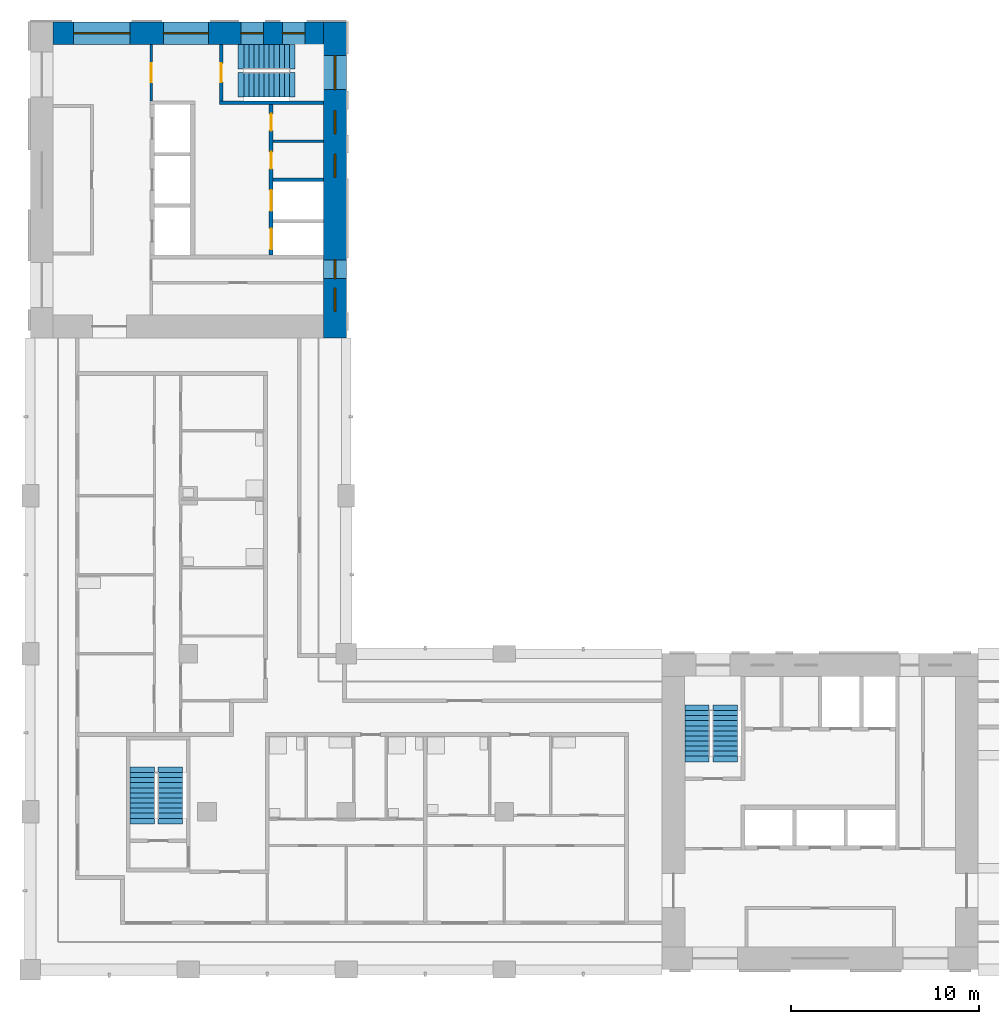
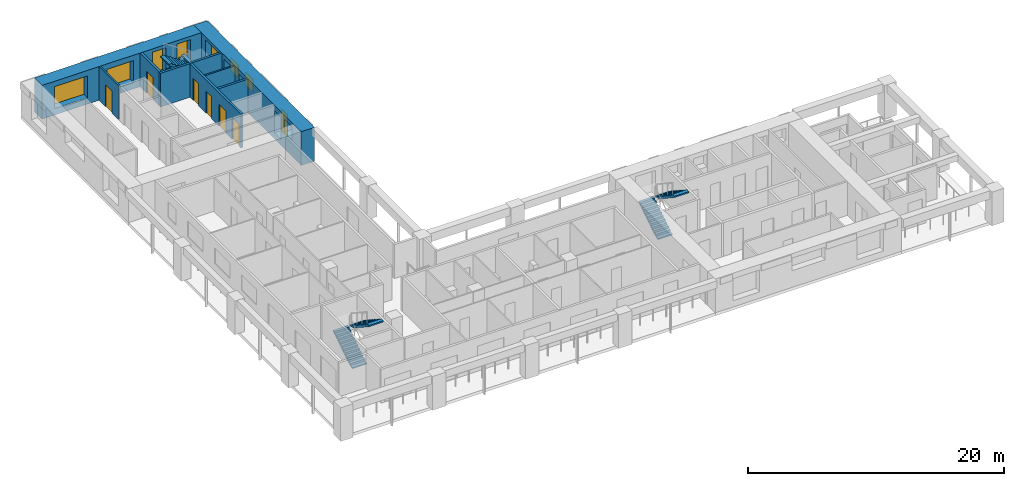
# One storey, part 6 of 10: 9 windows, 8 walls, 6 doors, 6 stair flights, 15 openings, 3 elements without a shape of their own.
"""IFC4 building model written with IfcOpenShell, lengths in metres."""

from ifc_helpers import new_model, si_unit, direction, frame, frame_2d, origin, place, context, subcontext, project, spatial, polyline, rectangle, outline, extrude, material, layer, layer_set, type_object, element, fill, aggregate, save


model = new_model("IFC4")

# Units and contexts
model_context = context("Model", 3, precision=1e-05, world=origin(), true_north=direction((0.0, 1.0)))
body_context = subcontext(model_context, "Body", "Model", "MODEL_VIEW")
ifc_project = project(units=[si_unit("LENGTHUNIT", "METRE"), si_unit("AREAUNIT", "SQUARE_METRE"), si_unit("VOLUMEUNIT", "CUBIC_METRE"), si_unit("PLANEANGLEUNIT", "RADIAN"), si_unit("MASSUNIT", "GRAM", prefix="KILO")], contexts=[model_context])

# Site, building, storey
site_placement = place(None, origin())
site = spatial("IfcSite", under=ifc_project, at=site_placement, CompositionType="ELEMENT")
building_placement = place(site_placement, origin())
building = spatial("IfcBuilding", under=site, at=building_placement, Name="Vermilion Gate Residences", CompositionType="ELEMENT")
storey_placement = place(building_placement, frame((0.0, 0.0, 168.699951171875)))
storey = spatial("IfcBuildingStorey", under=building, at=storey_placement, Name="L43", CompositionType="ELEMENT", Elevation=168.699951171875)

# Wall
ifc_material_1 = material(Name="Masonry blockwork", Category="masonry")
ifc_layer_1 = layer(ifc_material_1, 0.14990234375)
ifc_layer_set_1 = layer_set([ifc_layer_1], Name="BLOCKWORK PARTITION 150 EI 120")
wall_type_1 = type_object("IfcWallType", Name="BLOCKWORK PARTITION 150 EI 120", PredefinedType="PARTITIONING", material=ifc_layer_set_1)
wall_1_placement = place(storey_placement, frame((21.300048828125, 52.449951171875, 0.0), z_axis=(0.0, 0.0, 1.0), x_axis=(1.0, 0.0, 0.0)))
element("IfcWall", 1, at=wall_1_placement, inside=storey, type_object=wall_type_1, Name="Core room partition B43-NR-P0", PredefinedType="PARTITIONING", context=body_context, shape_type="SweptSolid", body=[
    extrude(rectangle(XDim=2.699951171875, YDim=0.14990234375, at=frame_2d((1.35009765625, 0.0))), origin(), (0.0, 0.0, 1.0), 3.219970703125),
])

# Wall, opening, door
wall_2_placement = place(storey_placement, frame((14.824951171875, 57.60009765625, 0.0), z_axis=(0.0, 0.0, 1.0), x_axis=(0.0, -1.0, 0.0)))
wall_2 = element("IfcWall", 2, at=wall_2_placement, inside=storey, type_object=wall_type_1, Name="Core room partition B43-VW-S", PredefinedType="PARTITIONING", context=body_context, shape_type="SweptSolid", body=[
    extrude(rectangle(XDim=3.0, YDim=0.14990234375, at=frame_2d((1.5, 0.0))), origin(), (0.0, 0.0, 1.0), 3.219970703125),
])
opening_1_placement = place(wall_2_placement, frame((1.0, 0.0, 0.0)))
opening_1 = element("IfcOpeningElement", 3, at=opening_1_placement, cuts=wall_2, Name="Opening DK43110", PredefinedType="OPENING", context=body_context, shape_type="SweptSolid", body=[
    extrude(rectangle(XDim=1.0, YDim=2.10009765625, at=frame_2d((0.5, 1.050048828125))), frame((0.0, 0.0849609375, 0.0), z_axis=(0.0, -1.0, 0.0), x_axis=(1.0, 0.0, 0.0)), (0.0, 0.0, 1.0), 0.169921875),
])
ifc_material_2 = material(Name="Steel", Category="steel")
door_type_1 = type_object("IfcDoorType", Name="FIRE DOOR FD60 1000 X 2100", OperationType="SINGLE_SWING_LEFT", PredefinedType="DOOR", material=ifc_material_2)
door_1_placement = place(opening_1_placement, frame((1.0, 0.0, 0.0), z_axis=(0.0, 0.0, 1.0), x_axis=(-1.0, 0.0, 0.0)))
door_1 = element("IfcDoor", 4, at=door_1_placement, inside=storey, type_object=door_type_1, Name="Stair vestibule door B43", OperationType="SINGLE_SWING_RIGHT", OverallHeight=2.10009765625, OverallWidth=1.0, PredefinedType="DOOR", context=body_context, shape_type="SweptSolid", body=[
    extrude(rectangle(XDim=1.0, YDim=2.10009765625, at=frame_2d((0.5, 1.050048828125))), frame((0.0, 0.02490234375, 0.0), z_axis=(0.0, -1.0, 0.0), x_axis=(1.0, 0.0, 0.0)), (0.0, 0.0, 1.0), 0.050048828125),
])
fill(opening_1, door_1)

# Wall
ifc_material_3 = material(Name="Concrete C60", Category="concrete")
ifc_layer_2 = layer(ifc_material_3, 0.199951171875)
ifc_layer_set_2 = layer_set([ifc_layer_2], Name="RC CORE INTERNAL WALL 200 C60")
wall_type_2 = type_object("IfcWallType", Name="RC CORE INTERNAL WALL 200 C60", PredefinedType="SHEAR", material=ifc_layer_set_2)
wall_3_placement = place(storey_placement, frame((21.300048828125, 50.39990234375, 0.0), z_axis=(0.0, 0.0, 1.0), x_axis=(1.0, 0.0, 0.0)))
element("IfcWall", 5, at=wall_3_placement, inside=storey, type_object=wall_type_2, Name="Core internal wall B43-FF-D0", PredefinedType="SHEAR", context=body_context, shape_type="SweptSolid", body=[
    extrude(rectangle(XDim=2.699951171875, YDim=0.199951171875, at=frame_2d((1.35009765625, 0.0))), origin(), (0.0, 0.0, 1.0), 3.219970703125),
])

# Wall, openings, doors
wall_4_placement = place(storey_placement, frame((21.199951171875, 54.39990234375, 0.0), z_axis=(0.0, 0.0, 1.0), x_axis=(0.0, -1.0, 0.0)))
wall_4 = element("IfcWall", 6, at=wall_4_placement, inside=storey, type_object=wall_type_2, Name="Core internal wall B43-FF-F", PredefinedType="SHEAR", context=body_context, shape_type="SweptSolid", body=[
    extrude(rectangle(XDim=8.0, YDim=0.199951171875, at=frame_2d((4.0, 0.0))), origin(), (0.0, 0.0, 1.0), 3.219970703125),
])
opening_2_placement = place(wall_4_placement, frame((0.487548828125, 0.0, 0.0)))
opening_2 = element("IfcOpeningElement", 7, at=opening_2_placement, cuts=wall_4, Name="Opening DK43106", PredefinedType="OPENING", context=body_context, shape_type="SweptSolid", body=[
    extrude(rectangle(XDim=0.89990234375, YDim=2.10009765625, at=frame_2d((0.449951171875, 1.050048828125))), frame((0.0, 0.10986328125, 0.0), z_axis=(0.0, -1.0, 0.0), x_axis=(1.0, 0.0, 0.0)), (0.0, 0.0, 1.0), 0.219970703125),
])
opening_3_placement = place(wall_4_placement, frame((2.512451171875, 0.0, 0.0)))
opening_3 = element("IfcOpeningElement", 8, at=opening_3_placement, cuts=wall_4, Name="Opening DK43107", PredefinedType="OPENING", context=body_context, shape_type="SweptSolid", body=[
    extrude(rectangle(XDim=0.89990234375, YDim=2.10009765625, at=frame_2d((0.449951171875, 1.050048828125))), frame((0.0, 0.10986328125, 0.0), z_axis=(0.0, -1.0, 0.0), x_axis=(1.0, 0.0, 0.0)), (0.0, 0.0, 1.0), 0.219970703125),
])
opening_4_placement = place(wall_4_placement, frame((4.550048828125, 0.0, 0.0)))
opening_4 = element("IfcOpeningElement", 9, at=opening_4_placement, cuts=wall_4, Name="Opening LD", PredefinedType="OPENING", context=body_context, shape_type="SweptSolid", body=[
    extrude(rectangle(XDim=1.10009765625, YDim=2.10009765625, at=frame_2d((0.550048828125, 1.050048828125))), frame((0.0, 0.10986328125, 0.0), z_axis=(0.0, -1.0, 0.0), x_axis=(1.0, 0.0, 0.0)), (0.0, 0.0, 1.0), 0.219970703125),
])
opening_5_placement = place(wall_4_placement, frame((6.60009765625, 0.0, 0.0)))
opening_5 = element("IfcOpeningElement", 10, at=opening_5_placement, cuts=wall_4, Name="Opening LD", PredefinedType="OPENING", context=body_context, shape_type="SweptSolid", body=[
    extrude(rectangle(XDim=1.10009765625, YDim=2.10009765625, at=frame_2d((0.550048828125, 1.050048828125))), frame((0.0, 0.10986328125, 0.0), z_axis=(0.0, -1.0, 0.0), x_axis=(1.0, 0.0, 0.0)), (0.0, 0.0, 1.0), 0.219970703125),
])
ifc_material_4 = material(Name="Stainless steel", Category="steel")
door_type_2 = type_object("IfcDoorType", Name="LIFT LANDING DOOR E60 1100 X 2100", OperationType="DOUBLE_DOOR_SLIDING", PredefinedType="DOOR", material=ifc_material_4)
door_2_placement = place(opening_4_placement, origin())
door_2 = element("IfcDoor", 11, at=door_2_placement, inside=storey, type_object=door_type_2, Name="Lift landing door LFB1", OperationType="DOUBLE_DOOR_SLIDING", OverallHeight=2.10009765625, OverallWidth=1.10009765625, PredefinedType="DOOR", context=body_context, shape_type="SweptSolid", body=[
    extrude(rectangle(XDim=1.10009765625, YDim=2.10009765625, at=frame_2d((0.550048828125, 1.050048828125))), frame((0.0, 0.02490234375, 0.0), z_axis=(0.0, -1.0, 0.0), x_axis=(1.0, 0.0, 0.0)), (0.0, 0.0, 1.0), 0.050048828125),
])
fill(opening_4, door_2)
door_3_placement = place(opening_5_placement, origin())
door_3 = element("IfcDoor", 12, at=door_3_placement, inside=storey, type_object=door_type_2, Name="Lift landing door LCB1", OperationType="DOUBLE_DOOR_SLIDING", OverallHeight=2.10009765625, OverallWidth=1.10009765625, PredefinedType="DOOR", context=body_context, shape_type="SweptSolid", body=[
    extrude(rectangle(XDim=1.10009765625, YDim=2.10009765625, at=frame_2d((0.550048828125, 1.050048828125))), frame((0.0, 0.02490234375, 0.0), z_axis=(0.0, -1.0, 0.0), x_axis=(1.0, 0.0, 0.0)), (0.0, 0.0, 1.0), 0.050048828125),
])
fill(opening_5, door_3)
ifc_material_5 = material(Name="Steel", Category="steel")
door_type_3 = type_object("IfcDoorType", Name="SERVICE ROOM DOOR FD60 900 X 2100", OperationType="SINGLE_SWING_LEFT", PredefinedType="DOOR", material=ifc_material_5)
door_4_placement = place(opening_2_placement, origin())
door_4 = element("IfcDoor", 13, at=door_4_placement, inside=storey, type_object=door_type_3, Name="Parcel room B43", OperationType="SINGLE_SWING_RIGHT", OverallHeight=2.10009765625, OverallWidth=0.89990234375, PredefinedType="DOOR", context=body_context, shape_type="SweptSolid", body=[
    extrude(rectangle(XDim=0.89990234375, YDim=2.10009765625, at=frame_2d((0.449951171875, 1.050048828125))), frame((0.0, 0.02490234375, 0.0), z_axis=(0.0, -1.0, 0.0), x_axis=(1.0, 0.0, 0.0)), (0.0, 0.0, 1.0), 0.050048828125),
])
fill(opening_2, door_4)
door_5_placement = place(opening_3_placement, frame((0.89990234375, 0.0, 0.0), z_axis=(0.0, 0.0, 1.0), x_axis=(-1.0, 0.0, 0.0)))
door_5 = element("IfcDoor", 14, at=door_5_placement, inside=storey, type_object=door_type_3, Name="Electrical room B43", OperationType="SINGLE_SWING_RIGHT", OverallHeight=2.10009765625, OverallWidth=0.89990234375, PredefinedType="DOOR", context=body_context, shape_type="SweptSolid", body=[
    extrude(rectangle(XDim=0.89990234375, YDim=2.10009765625, at=frame_2d((0.449951171875, 1.050048828125))), frame((0.0, 0.02490234375, 0.0), z_axis=(0.0, -1.0, 0.0), x_axis=(1.0, 0.0, 0.0)), (0.0, 0.0, 1.0), 0.050048828125),
])
fill(opening_3, door_5)

# Wall
wall_5_placement = place(storey_placement, frame((18.449951171875, 54.5, 0.0), z_axis=(0.0, 0.0, 1.0), x_axis=(1.0, 0.0, 0.0)))
element("IfcWall", 15, at=wall_5_placement, inside=storey, type_object=wall_type_2, Name="Core internal wall B43-WDIV2", PredefinedType="SHEAR", context=body_context, shape_type="SweptSolid", body=[
    extrude(rectangle(XDim=5.550048828125, YDim=0.199951171875, at=frame_2d((2.77490234375, 0.0))), origin(), (0.0, 0.0, 1.0), 3.219970703125),
])

# Wall, opening, door
wall_6_placement = place(storey_placement, frame((18.550048828125, 57.60009765625, 0.0), z_axis=(0.0, 0.0, 1.0), x_axis=(0.0, -1.0, 0.0)))
wall_6 = element("IfcWall", 16, at=wall_6_placement, inside=storey, type_object=wall_type_2, Name="Core internal wall B43-STW-S", PredefinedType="SHEAR", context=body_context, shape_type="SweptSolid", body=[
    extrude(rectangle(XDim=3.0, YDim=0.199951171875, at=frame_2d((1.5, 0.0))), origin(), (0.0, 0.0, 1.0), 3.219970703125),
])
opening_6_placement = place(wall_6_placement, frame((1.0, 0.0, 0.0)))
opening_6 = element("IfcOpeningElement", 17, at=opening_6_placement, cuts=wall_6, Name="Opening DK43111", PredefinedType="OPENING", context=body_context, shape_type="SweptSolid", body=[
    extrude(rectangle(XDim=1.0, YDim=2.10009765625, at=frame_2d((0.5, 1.050048828125))), frame((0.0, 0.10986328125, 0.0), z_axis=(0.0, -1.0, 0.0), x_axis=(1.0, 0.0, 0.0)), (0.0, 0.0, 1.0), 0.219970703125),
])
door_6_placement = place(opening_6_placement, origin())
door_6 = element("IfcDoor", 18, at=door_6_placement, inside=storey, type_object=door_type_1, Name="Stair door B43", OperationType="SINGLE_SWING_LEFT", OverallHeight=2.10009765625, OverallWidth=1.0, PredefinedType="DOOR", context=body_context, shape_type="SweptSolid", body=[
    extrude(rectangle(XDim=1.0, YDim=2.10009765625, at=frame_2d((0.5, 1.050048828125))), frame((0.0, 0.02490234375, 0.0), z_axis=(0.0, -1.0, 0.0), x_axis=(1.0, 0.0, 0.0)), (0.0, 0.0, 1.0), 0.050048828125),
])
fill(opening_6, door_6)

# Wall, openings, windows
ifc_material_6 = material(Name="Concrete C60 red-oxide pigmented", Category="concrete")
ifc_layer_3 = layer(ifc_material_6, 1.199951171875)
ifc_layer_set_3 = layer_set([ifc_layer_3], Name="RC CORE WALL 1200 C60 RED OXIDE")
wall_type_3 = type_object("IfcWallType", Name="RC CORE WALL 1200 C60 RED OXIDE", PredefinedType="SHEAR", material=ifc_layer_set_3)
wall_7_placement = place(storey_placement, frame((24.60009765625, 58.800048828125, 0.0), z_axis=(0.0, 0.0, 1.0), x_axis=(0.0, -1.0, 0.0)))
wall_7 = element("IfcWall", 19, at=wall_7_placement, inside=storey, type_object=wall_type_3, Name="Core wall B43-OUT-B1", PredefinedType="SHEAR", context=body_context, shape_type="SweptSolid", body=[
    extrude(rectangle(XDim=16.800048828125, YDim=1.199951171875, at=frame_2d((8.39990234375, 0.0))), origin(), (0.0, 0.0, 1.0), 3.219970703125),
])
opening_7_placement = place(wall_7_placement, frame((1.800048828125, 0.0, 0.5)))
opening_7 = element("IfcOpeningElement", 20, at=opening_7_placement, cuts=wall_7, Name="Opening WKB4304", PredefinedType="OPENING", context=body_context, shape_type="SweptSolid", body=[
    extrude(rectangle(XDim=1.800048828125, YDim=2.39990234375, at=frame_2d((0.89990234375, 1.199951171875))), frame((0.0, 0.60986328125, 0.0), z_axis=(0.0, -1.0, 0.0), x_axis=(1.0, 0.0, 0.0)), (0.0, 0.0, 1.0), 1.219970703125),
])
opening_8_placement = place(wall_7_placement, frame((4.737548828125, 0.0, 1.60009765625)))
opening_8 = element("IfcOpeningElement", 21, at=opening_8_placement, cuts=wall_7, Name="Opening WKB4305", PredefinedType="OPENING", context=body_context, shape_type="SweptSolid", body=[
    extrude(rectangle(XDim=1.199951171875, YDim=1.199951171875, at=frame_2d((0.60009765625, 0.60009765625))), frame((0.0, 0.60986328125, 0.0), z_axis=(0.0, -1.0, 0.0), x_axis=(1.0, 0.0, 0.0)), (0.0, 0.0, 1.0), 1.219970703125),
])
opening_9_placement = place(wall_7_placement, frame((7.050048828125, 0.0, 1.60009765625)))
opening_9 = element("IfcOpeningElement", 22, at=opening_9_placement, cuts=wall_7, Name="Opening WKB4306", PredefinedType="OPENING", context=body_context, shape_type="SweptSolid", body=[
    extrude(rectangle(XDim=1.199951171875, YDim=1.199951171875, at=frame_2d((0.60009765625, 0.60009765625))), frame((0.0, 0.60986328125, 0.0), z_axis=(0.0, -1.0, 0.0), x_axis=(1.0, 0.0, 0.0)), (0.0, 0.0, 1.0), 1.219970703125),
])
opening_10_placement = place(wall_7_placement, frame((12.64990234375, 0.0, 0.60009765625)))
opening_10 = element("IfcOpeningElement", 23, at=opening_10_placement, cuts=wall_7, Name="Opening WKB4307", PredefinedType="OPENING", context=body_context, shape_type="SweptSolid", body=[
    extrude(rectangle(XDim=1.0, YDim=2.10009765625, at=frame_2d((0.5, 1.050048828125))), frame((0.0, 0.60986328125, 0.0), z_axis=(0.0, -1.0, 0.0), x_axis=(1.0, 0.0, 0.0)), (0.0, 0.0, 1.0), 1.219970703125),
])
opening_11_placement = place(wall_7_placement, frame((14.175048828125, 0.0, 1.60009765625)))
opening_11 = element("IfcOpeningElement", 24, at=opening_11_placement, cuts=wall_7, Name="Opening WKB4308", PredefinedType="OPENING", context=body_context, shape_type="SweptSolid", body=[
    extrude(rectangle(XDim=1.199951171875, YDim=1.199951171875, at=frame_2d((0.60009765625, 0.60009765625))), frame((0.0, 0.60986328125, 0.0), z_axis=(0.0, -1.0, 0.0), x_axis=(1.0, 0.0, 0.0)), (0.0, 0.0, 1.0), 1.219970703125),
])
ifc_material_7 = material(Name="Aluminium and clear glass", Category="aluminium")
window_type_1 = type_object("IfcWindowType", Name="CORE CORRIDOR WINDOW 1000 X 2100", PartitioningType="SINGLE_PANEL", PredefinedType="WINDOW", material=ifc_material_7)
window_1_placement = place(opening_10_placement, origin())
window_1 = element("IfcWindow", 25, at=window_1_placement, inside=storey, type_object=window_type_1, Name="Core corridor window", OverallHeight=2.10009765625, OverallWidth=1.0, PartitioningType="SINGLE_PANEL", PredefinedType="WINDOW", context=body_context, shape_type="SweptSolid", body=[
    extrude(rectangle(XDim=1.0, YDim=2.10009765625, at=frame_2d((0.5, 1.050048828125))), frame((0.0, 0.030029296875, 0.0), z_axis=(0.0, -1.0, 0.0), x_axis=(1.0, 0.0, 0.0)), (0.0, 0.0, 1.0), 0.06005859375),
])
fill(opening_10, window_1)
ifc_material_8 = material(Name="Aluminium frame with louvre blades", Category="aluminium")
window_type_2 = type_object("IfcWindowType", Name="CORE LOUVRE 1200 X 1200", PartitioningType="SINGLE_PANEL", PredefinedType="WINDOW", material=ifc_material_8)
window_2_placement = place(opening_8_placement, origin())
window_2 = element("IfcWindow", 26, at=window_2_placement, inside=storey, type_object=window_type_2, Name="Core louvre", OverallHeight=1.199951171875, OverallWidth=1.199951171875, PartitioningType="SINGLE_PANEL", PredefinedType="WINDOW", context=body_context, shape_type="SweptSolid", body=[
    extrude(rectangle(XDim=1.199951171875, YDim=1.199951171875, at=frame_2d((0.60009765625, 0.60009765625))), frame((0.0, 0.030029296875, 0.0), z_axis=(0.0, -1.0, 0.0), x_axis=(1.0, 0.0, 0.0)), (0.0, 0.0, 1.0), 0.06005859375),
])
fill(opening_8, window_2)
window_3_placement = place(opening_9_placement, origin())
window_3 = element("IfcWindow", 27, at=window_3_placement, inside=storey, type_object=window_type_2, Name="Core louvre", OverallHeight=1.199951171875, OverallWidth=1.199951171875, PartitioningType="SINGLE_PANEL", PredefinedType="WINDOW", context=body_context, shape_type="SweptSolid", body=[
    extrude(rectangle(XDim=1.199951171875, YDim=1.199951171875, at=frame_2d((0.60009765625, 0.60009765625))), frame((0.0, 0.030029296875, 0.0), z_axis=(0.0, -1.0, 0.0), x_axis=(1.0, 0.0, 0.0)), (0.0, 0.0, 1.0), 0.06005859375),
])
fill(opening_9, window_3)
window_4_placement = place(opening_11_placement, origin())
window_4 = element("IfcWindow", 28, at=window_4_placement, inside=storey, type_object=window_type_2, Name="Core louvre", OverallHeight=1.199951171875, OverallWidth=1.199951171875, PartitioningType="SINGLE_PANEL", PredefinedType="WINDOW", context=body_context, shape_type="SweptSolid", body=[
    extrude(rectangle(XDim=1.199951171875, YDim=1.199951171875, at=frame_2d((0.60009765625, 0.60009765625))), frame((0.0, 0.030029296875, 0.0), z_axis=(0.0, -1.0, 0.0), x_axis=(1.0, 0.0, 0.0)), (0.0, 0.0, 1.0), 0.06005859375),
])
fill(opening_11, window_4)
ifc_material_9 = material(Name="Aluminium and clear glass", Category="aluminium")
window_type_3 = type_object("IfcWindowType", Name="CORE STAIR WINDOW 1800 X 2400", PartitioningType="SINGLE_PANEL", PredefinedType="WINDOW", material=ifc_material_9)
window_5_placement = place(opening_7_placement, origin())
window_5 = element("IfcWindow", 29, at=window_5_placement, inside=storey, type_object=window_type_3, Name="Core stair window", OverallHeight=2.39990234375, OverallWidth=1.800048828125, PartitioningType="SINGLE_PANEL", PredefinedType="WINDOW", context=body_context, shape_type="SweptSolid", body=[
    extrude(rectangle(XDim=1.800048828125, YDim=2.39990234375, at=frame_2d((0.89990234375, 1.199951171875))), frame((0.0, 0.030029296875, 0.0), z_axis=(0.0, -1.0, 0.0), x_axis=(1.0, 0.0, 0.0)), (0.0, 0.0, 1.0), 0.06005859375),
])
fill(opening_7, window_5)

wall_8_placement = place(storey_placement, frame((9.60009765625, 58.199951171875, 0.0), z_axis=(0.0, 0.0, 1.0), x_axis=(1.0, 0.0, 0.0)))
wall_8 = element("IfcWall", 30, at=wall_8_placement, inside=storey, type_object=wall_type_3, Name="Core wall B43-OUT-FR", PredefinedType="SHEAR", context=body_context, shape_type="SweptSolid", body=[
    extrude(rectangle(XDim=14.39990234375, YDim=1.199951171875, at=frame_2d((7.199951171875, 0.0))), origin(), (0.0, 0.0, 1.0), 3.219970703125),
])
opening_12_placement = place(wall_8_placement, frame((1.10498046875, 0.0, 0.60009765625)))
opening_12 = element("IfcOpeningElement", 31, at=opening_12_placement, cuts=wall_8, Name="Opening WKB4309", PredefinedType="OPENING", context=body_context, shape_type="SweptSolid", body=[
    extrude(rectangle(XDim=3.0, YDim=2.10009765625, at=frame_2d((1.5, 1.050048828125))), frame((0.0, 0.60986328125, 0.0), z_axis=(0.0, -1.0, 0.0), x_axis=(1.0, 0.0, 0.0)), (0.0, 0.0, 1.0), 1.219970703125),
])
opening_13_placement = place(wall_8_placement, frame((5.875, 0.0, 0.60009765625)))
opening_13 = element("IfcOpeningElement", 32, at=opening_13_placement, cuts=wall_8, Name="Opening WKB4310", PredefinedType="OPENING", context=body_context, shape_type="SweptSolid", body=[
    extrude(rectangle(XDim=2.39990234375, YDim=2.10009765625, at=frame_2d((1.199951171875, 1.050048828125))), frame((0.0, 0.60986328125, 0.0), z_axis=(0.0, -1.0, 0.0), x_axis=(1.0, 0.0, 0.0)), (0.0, 0.0, 1.0), 1.219970703125),
])
opening_14_placement = place(wall_8_placement, frame((9.993408203125, 0.0, 0.5)))
opening_14 = element("IfcOpeningElement", 33, at=opening_14_placement, cuts=wall_8, Name="Opening WKB4311", PredefinedType="OPENING", context=body_context, shape_type="SweptSolid", body=[
    extrude(rectangle(XDim=1.199951171875, YDim=2.39990234375, at=frame_2d((0.60009765625, 1.199951171875))), frame((0.0, 0.60986328125, 0.0), z_axis=(0.0, -1.0, 0.0), x_axis=(1.0, 0.0, 0.0)), (0.0, 0.0, 1.0), 1.219970703125),
])
opening_15_placement = place(wall_8_placement, frame((12.19677734375, 0.0, 0.5)))
opening_15 = element("IfcOpeningElement", 34, at=opening_15_placement, cuts=wall_8, Name="Opening WKB4312", PredefinedType="OPENING", context=body_context, shape_type="SweptSolid", body=[
    extrude(rectangle(XDim=1.199951171875, YDim=2.39990234375, at=frame_2d((0.60009765625, 1.199951171875))), frame((0.0, 0.60986328125, 0.0), z_axis=(0.0, -1.0, 0.0), x_axis=(1.0, 0.0, 0.0)), (0.0, 0.0, 1.0), 1.219970703125),
])
ifc_material_10 = material(Name="Aluminium and clear glass", Category="aluminium")
window_type_4 = type_object("IfcWindowType", Name="CORE LOBBY WINDOW 2400 X 2100", PartitioningType="SINGLE_PANEL", PredefinedType="WINDOW", material=ifc_material_10)
window_6_placement = place(opening_13_placement, origin())
window_6 = element("IfcWindow", 35, at=window_6_placement, inside=storey, type_object=window_type_4, Name="Core lobby window", OverallHeight=2.10009765625, OverallWidth=2.39990234375, PartitioningType="SINGLE_PANEL", PredefinedType="WINDOW", context=body_context, shape_type="SweptSolid", body=[
    extrude(rectangle(XDim=2.39990234375, YDim=2.10009765625, at=frame_2d((1.199951171875, 1.050048828125))), frame((0.0, 0.030029296875, 0.0), z_axis=(0.0, -1.0, 0.0), x_axis=(1.0, 0.0, 0.0)), (0.0, 0.0, 1.0), 0.06005859375),
])
fill(opening_13, window_6)
ifc_material_11 = material(Name="Aluminium and clear glass", Category="aluminium")
window_type_5 = type_object("IfcWindowType", Name="CORE LOBBY WINDOW 3000 X 2100", PartitioningType="SINGLE_PANEL", PredefinedType="WINDOW", material=ifc_material_11)
window_7_placement = place(opening_12_placement, origin())
window_7 = element("IfcWindow", 36, at=window_7_placement, inside=storey, type_object=window_type_5, Name="Core lobby window", OverallHeight=2.10009765625, OverallWidth=3.0, PartitioningType="SINGLE_PANEL", PredefinedType="WINDOW", context=body_context, shape_type="SweptSolid", body=[
    extrude(rectangle(XDim=3.0, YDim=2.10009765625, at=frame_2d((1.5, 1.050048828125))), frame((0.0, 0.030029296875, 0.0), z_axis=(0.0, -1.0, 0.0), x_axis=(1.0, 0.0, 0.0)), (0.0, 0.0, 1.0), 0.06005859375),
])
fill(opening_12, window_7)
ifc_material_12 = material(Name="Aluminium and clear glass", Category="aluminium")
window_type_6 = type_object("IfcWindowType", Name="CORE STAIR WINDOW 1200 X 2400", PartitioningType="SINGLE_PANEL", PredefinedType="WINDOW", material=ifc_material_12)
window_8_placement = place(opening_14_placement, origin())
window_8 = element("IfcWindow", 37, at=window_8_placement, inside=storey, type_object=window_type_6, Name="Core stair window", OverallHeight=2.39990234375, OverallWidth=1.199951171875, PartitioningType="SINGLE_PANEL", PredefinedType="WINDOW", context=body_context, shape_type="SweptSolid", body=[
    extrude(rectangle(XDim=1.199951171875, YDim=2.39990234375, at=frame_2d((0.60009765625, 1.199951171875))), frame((0.0, 0.030029296875, 0.0), z_axis=(0.0, -1.0, 0.0), x_axis=(1.0, 0.0, 0.0)), (0.0, 0.0, 1.0), 0.06005859375),
])
fill(opening_14, window_8)
window_9_placement = place(opening_15_placement, origin())
window_9 = element("IfcWindow", 38, at=window_9_placement, inside=storey, type_object=window_type_6, Name="Core stair window", OverallHeight=2.39990234375, OverallWidth=1.199951171875, PartitioningType="SINGLE_PANEL", PredefinedType="WINDOW", context=body_context, shape_type="SweptSolid", body=[
    extrude(rectangle(XDim=1.199951171875, YDim=2.39990234375, at=frame_2d((0.60009765625, 1.199951171875))), frame((0.0, 0.030029296875, 0.0), z_axis=(0.0, -1.0, 0.0), x_axis=(1.0, 0.0, 0.0)), (0.0, 0.0, 1.0), 0.06005859375),
])
fill(opening_15, window_9)

# Stair, stair flights
ifc_material_13 = material(Name="Concrete C50", Category="concrete")
stair_type = type_object("IfcStairType", Name="SPECIAL ESCAPE STAIR 1300", PredefinedType="HALF_TURN_STAIR", material=ifc_material_13)
stair_1_placement = place(storey_placement, origin())
stair_1 = element("IfcStair", 39, at=stair_1_placement, inside=storey, type_object=stair_type, Name="Special escape stair STA1-43", PredefinedType="HALF_TURN_STAIR")
ifc_material_14 = material(Name="Concrete C50", Category="concrete")
stair_flight_type = type_object("IfcStairFlightType", Name="STAIR FLIGHT 1300 RC C50", PredefinedType="STRAIGHT", material=ifc_material_14)
stair_flight_1_placement = place(storey_placement, frame((43.85009765625, 19.75, 0.0), z_axis=(0.0, 0.0, 1.0), x_axis=(0.0, 1.0, 0.0)))
stair_flight_1 = element("IfcStairFlight", 40, at=stair_flight_1_placement, type_object=stair_flight_type, Name="STA1-43 flight 1", NumberOfRisers=10, NumberOfTreads=9, PredefinedType="STRAIGHT", RiserHeight=0.175, TreadLength=0.27, context=body_context, shape_type="SweptSolid", body=[
    extrude(outline(polyline([(-0.300048828125, -0.14990234375), (-0.300048828125, -0.030029296875), (0.0, 0.0), (0.0, 0.175048828125), (0.27001953125, 0.175048828125), (0.27001953125, 0.35009765625), (0.5400390625, 0.35009765625), (0.5400390625, 0.52490234375), (0.81005859375, 0.52490234375), (0.81005859375, 0.699951171875), (1.080078125, 0.699951171875), (1.080078125, 0.875), (1.35009765625, 0.875), (1.35009765625, 1.050048828125), (1.6201171875, 1.050048828125), (1.6201171875, 1.22509765625), (1.889892578125, 1.22509765625), (1.889892578125, 1.39990234375), (2.159912109375, 1.39990234375), (2.159912109375, 1.574951171875), (2.429931640625, 1.574951171875), (2.429931640625, 1.75), (2.72998046875, 1.719970703125), (2.72998046875, 1.60009765625), (2.429931640625, 1.396484375), (0.275634765625, 0.0), (-0.300048828125, -0.14990234375)])), frame((0.0, 0.64990234375, 0.0), z_axis=(0.0, -1.0, 0.0), x_axis=(1.0, 0.0, 0.0)), (0.0, 0.0, 1.0), 1.300048828125),
])
stair_flight_2_placement = place(storey_placement, frame((45.35009765625, 22.179931640625, 1.75), z_axis=(0.0, 0.0, 1.0), x_axis=(0.0, -1.0, 0.0)))
stair_flight_2 = element("IfcStairFlight", 41, at=stair_flight_2_placement, type_object=stair_flight_type, Name="STA1-43 flight 2", NumberOfRisers=10, NumberOfTreads=9, PredefinedType="STRAIGHT", RiserHeight=0.175, TreadLength=0.27, context=body_context, shape_type="SweptSolid", body=[
    extrude(outline(polyline([(-0.300048828125, -0.14990234375), (-0.300048828125, -0.030029296875), (0.0, 0.0), (0.0, 0.175048828125), (0.27001953125, 0.175048828125), (0.27001953125, 0.35009765625), (0.5400390625, 0.35009765625), (0.5400390625, 0.52490234375), (0.81005859375, 0.52490234375), (0.81005859375, 0.699951171875), (1.080078125, 0.699951171875), (1.080078125, 0.875), (1.35009765625, 0.875), (1.35009765625, 1.050048828125), (1.6201171875, 1.050048828125), (1.6201171875, 1.22509765625), (1.889892578125, 1.22509765625), (1.889892578125, 1.39990234375), (2.159912109375, 1.39990234375), (2.159912109375, 1.574951171875), (2.429931640625, 1.574951171875), (2.429931640625, 1.75), (2.72998046875, 1.719970703125), (2.72998046875, 1.60009765625), (2.429931640625, 1.396484375), (0.275634765625, 0.0), (-0.300048828125, -0.14990234375)])), frame((0.0, 0.64990234375, 0.0), z_axis=(0.0, -1.0, 0.0), x_axis=(1.0, 0.0, 0.0)), (0.0, 0.0, 1.0), 1.300048828125),
])
aggregate(stair_1, [stair_flight_1, stair_flight_2])

stair_2_placement = place(storey_placement, origin())
stair_2 = element("IfcStair", 42, at=stair_2_placement, inside=storey, type_object=stair_type, Name="Special escape stair STB1-43", PredefinedType="HALF_TURN_STAIR")
stair_flight_3_placement = place(storey_placement, frame((19.75, 56.949951171875, 0.0), z_axis=(0.0, 0.0, 1.0), x_axis=(1.0, 0.0, 0.0)))
stair_flight_3 = element("IfcStairFlight", 43, at=stair_flight_3_placement, type_object=stair_flight_type, Name="STB1-43 flight 1", NumberOfRisers=10, NumberOfTreads=9, PredefinedType="STRAIGHT", RiserHeight=0.175, TreadLength=0.27, context=body_context, shape_type="SweptSolid", body=[
    extrude(outline(polyline([(-0.300048828125, -0.14990234375), (-0.300048828125, -0.030029296875), (0.0, 0.0), (0.0, 0.175048828125), (0.27001953125, 0.175048828125), (0.27001953125, 0.35009765625), (0.5400390625, 0.35009765625), (0.5400390625, 0.52490234375), (0.81005859375, 0.52490234375), (0.81005859375, 0.699951171875), (1.080078125, 0.699951171875), (1.080078125, 0.875), (1.35009765625, 0.875), (1.35009765625, 1.050048828125), (1.6201171875, 1.050048828125), (1.6201171875, 1.22509765625), (1.889892578125, 1.22509765625), (1.889892578125, 1.39990234375), (2.159912109375, 1.39990234375), (2.159912109375, 1.574951171875), (2.429931640625, 1.574951171875), (2.429931640625, 1.75), (2.72998046875, 1.719970703125), (2.72998046875, 1.60009765625), (2.429931640625, 1.396484375), (0.275634765625, 0.0), (-0.300048828125, -0.14990234375)])), frame((0.0, 0.64990234375, 0.0), z_axis=(0.0, -1.0, 0.0), x_axis=(1.0, 0.0, 0.0)), (0.0, 0.0, 1.0), 1.300048828125),
])
stair_flight_4_placement = place(storey_placement, frame((22.179931640625, 55.449951171875, 1.75), z_axis=(0.0, 0.0, 1.0), x_axis=(-1.0, 0.0, 0.0)))
stair_flight_4 = element("IfcStairFlight", 44, at=stair_flight_4_placement, type_object=stair_flight_type, Name="STB1-43 flight 2", NumberOfRisers=10, NumberOfTreads=9, PredefinedType="STRAIGHT", RiserHeight=0.175, TreadLength=0.27, context=body_context, shape_type="SweptSolid", body=[
    extrude(outline(polyline([(-0.300048828125, -0.14990234375), (-0.300048828125, -0.030029296875), (0.0, 0.0), (0.0, 0.175048828125), (0.27001953125, 0.175048828125), (0.27001953125, 0.35009765625), (0.5400390625, 0.35009765625), (0.5400390625, 0.52490234375), (0.81005859375, 0.52490234375), (0.81005859375, 0.699951171875), (1.080078125, 0.699951171875), (1.080078125, 0.875), (1.35009765625, 0.875), (1.35009765625, 1.050048828125), (1.6201171875, 1.050048828125), (1.6201171875, 1.22509765625), (1.889892578125, 1.22509765625), (1.889892578125, 1.39990234375), (2.159912109375, 1.39990234375), (2.159912109375, 1.574951171875), (2.429931640625, 1.574951171875), (2.429931640625, 1.75), (2.72998046875, 1.719970703125), (2.72998046875, 1.60009765625), (2.429931640625, 1.396484375), (0.275634765625, 0.0), (-0.300048828125, -0.14990234375)])), frame((0.0, 0.64990234375, 0.0), z_axis=(0.0, -1.0, 0.0), x_axis=(1.0, 0.0, 0.0)), (0.0, 0.0, 1.0), 1.300048828125),
])
aggregate(stair_2, [stair_flight_3, stair_flight_4])

stair_3_placement = place(storey_placement, origin())
stair_3 = element("IfcStair", 45, at=stair_3_placement, inside=storey, type_object=stair_type, Name="Special escape stair STC1-43", PredefinedType="HALF_TURN_STAIR")
stair_flight_5_placement = place(storey_placement, frame((14.35009765625, 16.449951171875, 0.0), z_axis=(0.0, 0.0, 1.0), x_axis=(0.0, 1.0, 0.0)))
stair_flight_5 = element("IfcStairFlight", 46, at=stair_flight_5_placement, type_object=stair_flight_type, Name="STC1-43 flight 1", NumberOfRisers=10, NumberOfTreads=9, PredefinedType="STRAIGHT", RiserHeight=0.175, TreadLength=0.27, context=body_context, shape_type="SweptSolid", body=[
    extrude(outline(polyline([(-0.300048828125, -0.14990234375), (-0.300048828125, -0.030029296875), (0.0, 0.0), (0.0, 0.175048828125), (0.27001953125, 0.175048828125), (0.27001953125, 0.35009765625), (0.5400390625, 0.35009765625), (0.5400390625, 0.52490234375), (0.81005859375, 0.52490234375), (0.81005859375, 0.699951171875), (1.080078125, 0.699951171875), (1.080078125, 0.875), (1.35009765625, 0.875), (1.35009765625, 1.050048828125), (1.6201171875, 1.050048828125), (1.6201171875, 1.22509765625), (1.889892578125, 1.22509765625), (1.889892578125, 1.39990234375), (2.159912109375, 1.39990234375), (2.159912109375, 1.574951171875), (2.429931640625, 1.574951171875), (2.429931640625, 1.75), (2.72998046875, 1.719970703125), (2.72998046875, 1.60009765625), (2.429931640625, 1.396484375), (0.275634765625, 0.0), (-0.300048828125, -0.14990234375)])), frame((0.0, 0.64990234375, 0.0), z_axis=(0.0, -1.0, 0.0), x_axis=(1.0, 0.0, 0.0)), (0.0, 0.0, 1.0), 1.300048828125),
])
stair_flight_6_placement = place(storey_placement, frame((15.85009765625, 18.8798828125, 1.75), z_axis=(0.0, 0.0, 1.0), x_axis=(0.0, -1.0, 0.0)))
stair_flight_6 = element("IfcStairFlight", 47, at=stair_flight_6_placement, type_object=stair_flight_type, Name="STC1-43 flight 2", NumberOfRisers=10, NumberOfTreads=9, PredefinedType="STRAIGHT", RiserHeight=0.175, TreadLength=0.27, context=body_context, shape_type="SweptSolid", body=[
    extrude(outline(polyline([(-0.300048828125, -0.14990234375), (-0.300048828125, -0.030029296875), (0.0, 0.0), (0.0, 0.175048828125), (0.27001953125, 0.175048828125), (0.27001953125, 0.35009765625), (0.5400390625, 0.35009765625), (0.5400390625, 0.52490234375), (0.81005859375, 0.52490234375), (0.81005859375, 0.699951171875), (1.080078125, 0.699951171875), (1.080078125, 0.875), (1.35009765625, 0.875), (1.35009765625, 1.050048828125), (1.6201171875, 1.050048828125), (1.6201171875, 1.22509765625), (1.889892578125, 1.22509765625), (1.889892578125, 1.39990234375), (2.159912109375, 1.39990234375), (2.159912109375, 1.574951171875), (2.429931640625, 1.574951171875), (2.429931640625, 1.75), (2.72998046875, 1.719970703125), (2.72998046875, 1.60009765625), (2.429931640625, 1.396484375), (0.275634765625, 0.0), (-0.300048828125, -0.14990234375)])), frame((0.0, 0.64990234375, 0.0), z_axis=(0.0, -1.0, 0.0), x_axis=(1.0, 0.0, 0.0)), (0.0, 0.0, 1.0), 1.300048828125),
])
aggregate(stair_3, [stair_flight_5, stair_flight_6])

save(model, "model.ifc")
